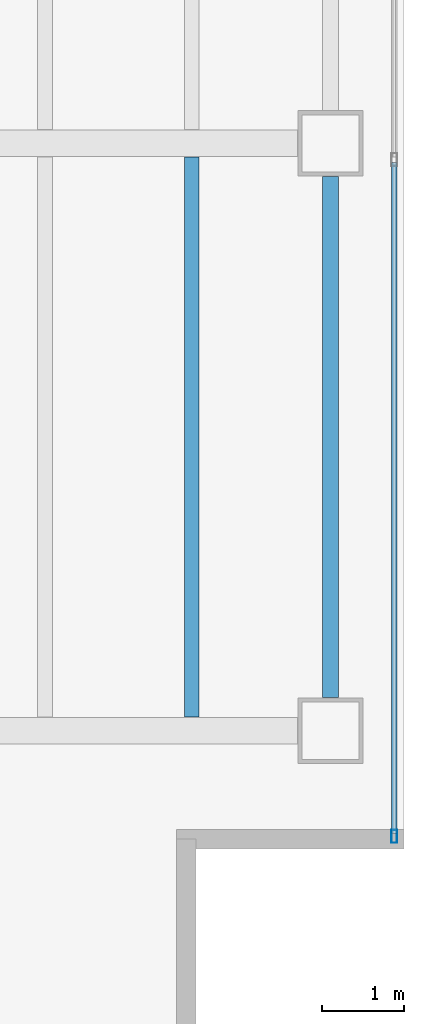
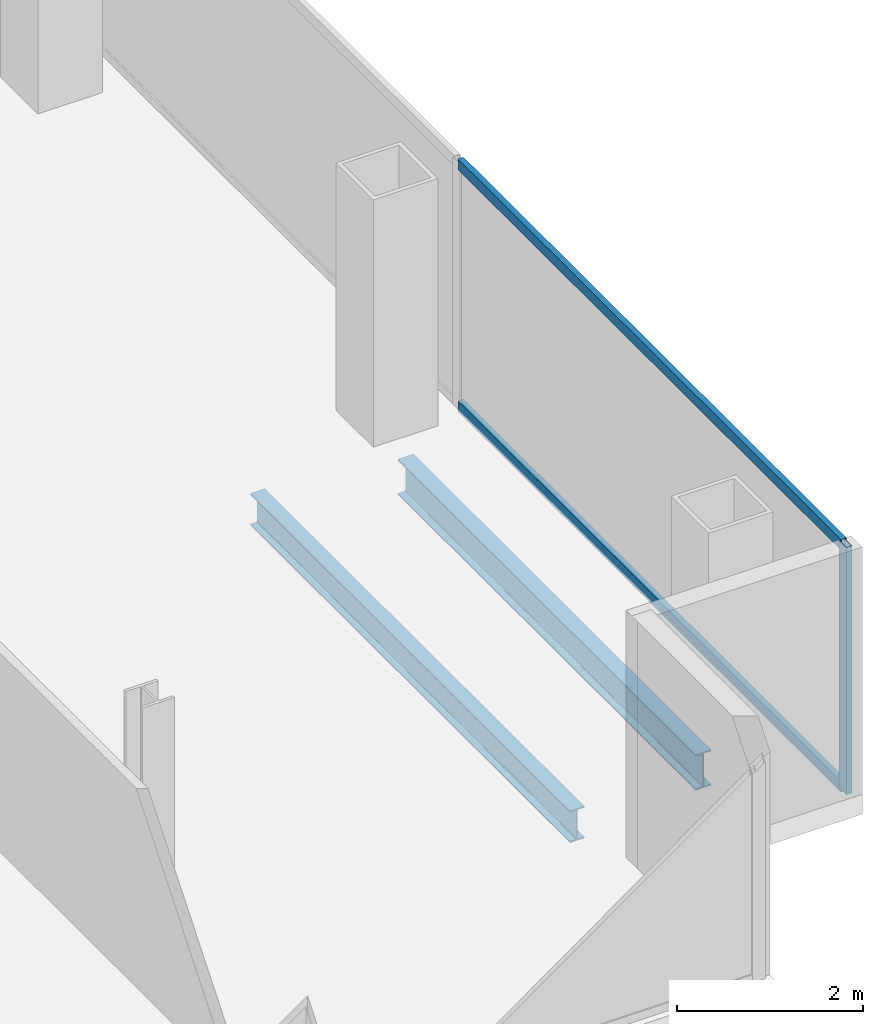
# One storey, part 12 of 23: 3 members, 2 beams, 1 element without a shape of its own.
"""IFC4 building model written with IfcOpenShell, lengths in metres."""

from ifc_helpers import new_model, si_unit, direction, frame, origin, origin_2d, place, context, subcontext, project, spatial, hollow_rectangle, i_section, extrude, material, material_profile, profile_set, type_object, element, aggregate, save


model = new_model("IFC4")

# Units and contexts
model_context = context("Model", 3, precision=1e-05, world=origin(), true_north=direction((0.0, 1.0)))
body_context = subcontext(model_context, "Body", "Model", "MODEL_VIEW")
ifc_project = project(units=[si_unit("LENGTHUNIT", "METRE"), si_unit("AREAUNIT", "SQUARE_METRE"), si_unit("VOLUMEUNIT", "CUBIC_METRE"), si_unit("PLANEANGLEUNIT", "RADIAN"), si_unit("MASSUNIT", "GRAM", prefix="KILO")], contexts=[model_context])

# Site, building, storey
site_placement = place(None, origin())
site = spatial("IfcSite", under=ifc_project, at=site_placement, CompositionType="ELEMENT")
building_placement = place(site_placement, origin())
building = spatial("IfcBuilding", under=site, at=building_placement, Name="Cobrela Telecom Tower", CompositionType="ELEMENT")
storey_placement = place(building_placement, frame((0.0, 0.0, 194.25)))
storey = spatial("IfcBuildingStorey", under=building, at=storey_placement, Name="L49", CompositionType="ELEMENT", Elevation=194.25)

# Beams
ifc_material_1 = material(Name="Steel ASTM A992 Grade 50", Category="steel")
ifc_material_profile_1 = material_profile(ifc_material_1, i_section(OverallWidth=0.179931640625, OverallDepth=0.4169921875, WebThickness=0.010986328125, FlangeThickness=0.01806640625, FilletRadius=0.011962890625, at=origin_2d()), Name="W16X57")
ifc_profile_set_1 = profile_set([ifc_material_profile_1], Name="Steel ASTM A992 Grade 50")
beam_type_1 = type_object("IfcBeamType", Name="BM-JOIST-04", PredefinedType="JOIST", material=ifc_profile_set_1)
beam_1_placement = place(storey_placement, frame((41.39990234375, 7.368896484375, -0.468505859375), z_axis=(0.0, 1.0, 0.0), x_axis=(-1.0, 0.0, 0.0)))
element("IfcBeam", 1, at=beam_1_placement, inside=storey, type_object=beam_type_1, Name="L49 Secondary Composite Floor Beam J29", PredefinedType="JOIST", context=body_context, shape_type="SweptSolid", body=[
    extrude(i_section(OverallWidth=0.179931640625, OverallDepth=0.4169921875, WebThickness=0.010986328125, FlangeThickness=0.01806640625, FilletRadius=0.011962890625, at=origin_2d()), origin(), (0.0, 0.0, 1.0), 6.862060546875),
])
ifc_material_profile_2 = material_profile(ifc_material_1, i_section(OverallWidth=0.193115234375, OverallDepth=0.467041015625, WebThickness=0.011474609375, FlangeThickness=0.01904296875, FilletRadius=0.012939453125, at=origin_2d()), Name="W18X65")
ifc_profile_set_2 = profile_set([ifc_material_profile_2], Name="Steel ASTM A992 Grade 50")
beam_type_2 = type_object("IfcBeamType", Name="BM-SPAND-05", PredefinedType="SPANDREL", material=ifc_profile_set_2)
beam_2_placement = place(storey_placement, frame((43.10009765625, 7.60498046875, -0.493408203125), z_axis=(0.0, 1.0, 0.0), x_axis=(-1.0, 0.0, 0.0)))
element("IfcBeam", 2, at=beam_2_placement, inside=storey, type_object=beam_type_2, Name="L49 Perimeter Spandrel Y42", PredefinedType="SPANDREL", context=body_context, shape_type="SweptSolid", body=[
    extrude(i_section(OverallWidth=0.193115234375, OverallDepth=0.467041015625, WebThickness=0.011474609375, FlangeThickness=0.01904296875, FilletRadius=0.012939453125, at=origin_2d()), origin(), (0.0, 0.0, 1.0), 6.39013671875),
])

# Curtain wall, members
ifc_material_2 = material(Name="Anodized Bronze Aluminium 6063-T6", Category="aluminium")
curtain_wall_type = type_object("IfcCurtainWallType", Name="CW-SYS-OFF-LO", PredefinedType="USERDEFINED", material=ifc_material_2)
curtain_wall_placement = place(storey_placement, origin())
curtain_wall = element("IfcCurtainWall", 3, at=curtain_wall_placement, inside=storey, type_object=curtain_wall_type, Name="L49 Unitised Bronze Curtain Wall 14", ObjectType="UNITISED CURTAIN WALL", PredefinedType="USERDEFINED")
ifc_material_profile_3 = material_profile(ifc_material_2, hollow_rectangle(XDim=0.070068359375, YDim=0.159912109375, WallThickness=0.00390625, at=origin_2d()), Name="ALU 70x160x4")
ifc_profile_set_3 = profile_set([ifc_material_profile_3], Name="Anodized Bronze Aluminium 6063-T6")
member_type_1 = type_object("IfcMemberType", Name="CW-SYS-OFF-LO-MUL", PredefinedType="MULLION", material=ifc_profile_set_3)
member_1_placement = place(storey_placement, frame((43.8798828125, 5.905029296875, 0.0), z_axis=(0.0, 0.0, 1.0), x_axis=(1.0, 0.0, 0.0)))
member_1 = element("IfcMember", 4, at=member_1_placement, type_object=member_type_1, Name="CW-OFF-LO mullion 3", PredefinedType="MULLION", context=body_context, shape_type="SweptSolid", body=[
    extrude(hollow_rectangle(XDim=0.070068359375, YDim=0.159912109375, WallThickness=0.00390625, at=origin_2d()), origin(), (0.0, 0.0, 1.0), 3.239990234375),
])
ifc_material_profile_4 = material_profile(ifc_material_2, hollow_rectangle(XDim=0.070068359375, YDim=0.139892578125, WallThickness=0.00390625, at=origin_2d()), Name="ALU 70x140x4")
ifc_profile_set_4 = profile_set([ifc_material_profile_4], Name="Anodized Bronze Aluminium 6063-T6")
member_type_2 = type_object("IfcMemberType", Name="CW-SYS-OFF-LO-TRN", PredefinedType="USERDEFINED", material=ifc_profile_set_4)
member_2_placement = place(storey_placement, frame((43.8798828125, 14.1650390625, 0.034912109375), z_axis=(0.0, -1.0, 0.0), x_axis=(1.0, 0.0, 0.0)))
member_2 = element("IfcMember", 5, at=member_2_placement, type_object=member_type_2, Name="CW-OFF-LO transom 2.1", ObjectType="TRANSOM", PredefinedType="USERDEFINED", context=body_context, shape_type="SweptSolid", body=[
    extrude(hollow_rectangle(XDim=0.070068359375, YDim=0.139892578125, WallThickness=0.00390625, at=origin_2d()), origin(), (0.0, 0.0, 1.0), 8.22509765625),
])
member_3_placement = place(storey_placement, frame((43.8798828125, 14.1650390625, 3.205078125), z_axis=(0.0, -1.0, 0.0), x_axis=(1.0, 0.0, 0.0)))
member_3 = element("IfcMember", 6, at=member_3_placement, type_object=member_type_2, Name="CW-OFF-LO transom 2.2", ObjectType="TRANSOM", PredefinedType="USERDEFINED", context=body_context, shape_type="SweptSolid", body=[
    extrude(hollow_rectangle(XDim=0.070068359375, YDim=0.139892578125, WallThickness=0.00390625, at=origin_2d()), origin(), (0.0, 0.0, 1.0), 8.22509765625),
])
aggregate(curtain_wall, [member_1, member_2, member_3])

save(model, "model.ifc")
